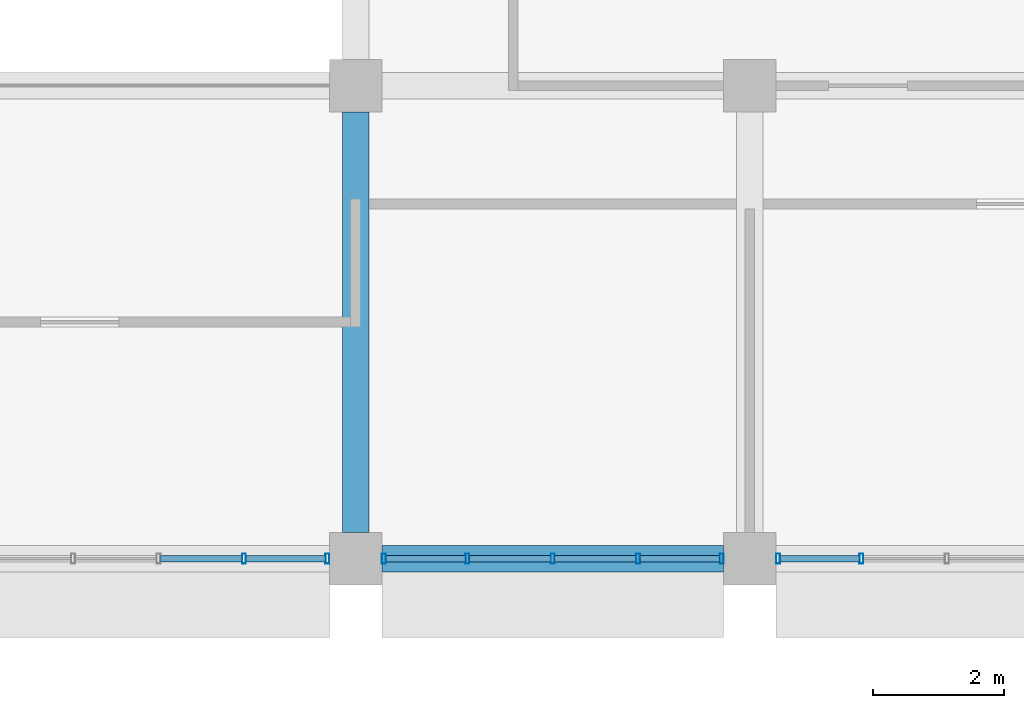
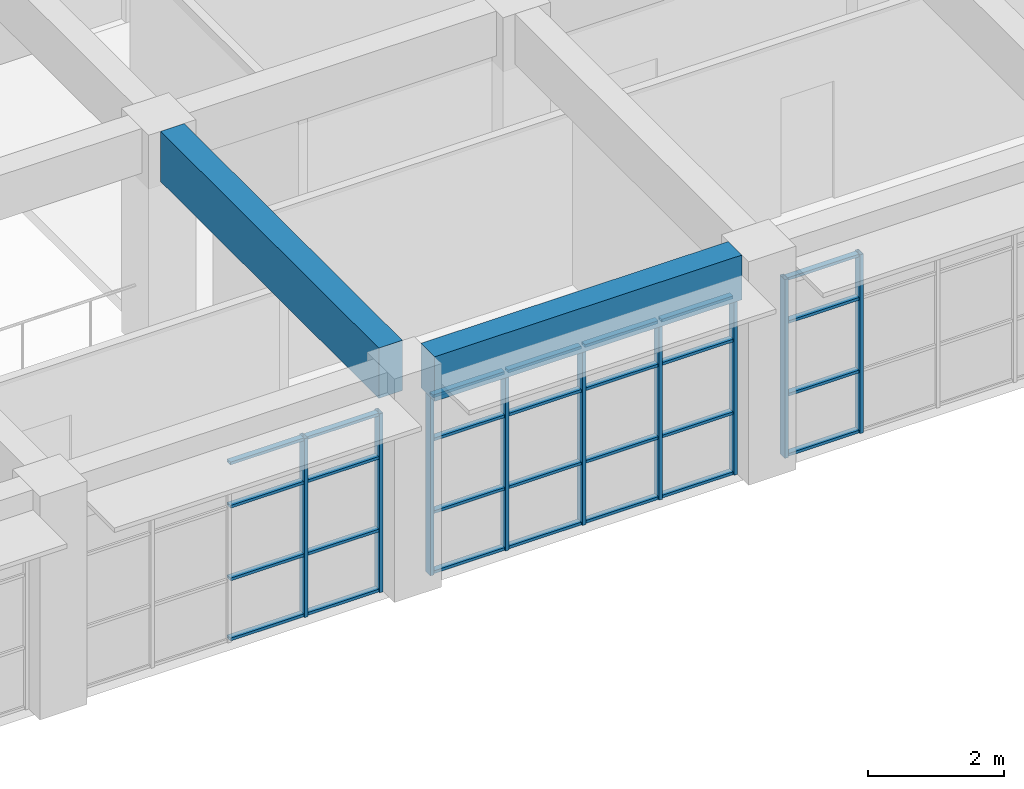
# One storey, part 13 of 47: 37 members, 2 beams, 3 elements without a shape of their own.
"""IFC4 building model written with IfcOpenShell, lengths in metres."""

import ifcopenshell
import ifcopenshell.guid

model = None  # the IFC model being written
_history = None  # IfcOwnerHistory: only IFC2X3 demands one
_inside = {}  # id of a spatial element -> (the spatial element, [elements in it])
_under = {}  # id of a project, library or spatial element -> (it, [spatial elements below it])
_declared = {}  # id of a project -> (the project, [libraries it declares])
_typed = {}  # id of a type object -> (the type object, [elements of that type])
_made_of = {}  # id of a material, layer set ... -> (it, [elements and type objects made of it])


def new_model(schema):
    """Start an empty IFC model of exactly this schema.

    Asked for "IFC4X3", IfcOpenShell would pick the latest addendum, in which some entities
    have other attributes; the version numbers below select the first issue.
    IFC2X3 requires an IfcOwnerHistory on every rooted entity: one is made here for all.
    """
    global model, _history
    if schema == "IFC4X3":
        model = ifcopenshell.file(schema_version=(4, 3, 0, 0))
    else:
        model = ifcopenshell.file(schema=schema)
    _inside.clear()
    _under.clear()
    _declared.clear()
    _typed.clear()
    _made_of.clear()
    _history = None
    if model.schema == "IFC2X3":
        org = make("IfcOrganization", Name="unknown")
        user = make(
            "IfcPersonAndOrganization",
            ThePerson=make("IfcPerson", FamilyName="unknown"),
            TheOrganization=org,
        )
        app = make(
            "IfcApplication",
            ApplicationDeveloper=org,
            Version="unknown",
            ApplicationFullName="unknown",
            ApplicationIdentifier="unknown",
        )
        _history = make(
            "IfcOwnerHistory",
            OwningUser=user,
            OwningApplication=app,
            ChangeAction="ADDED",
            CreationDate=0,
        )
    return model


def make(cls, **values):
    """One entity of the class cls with the attributes given. An attribute that is None is left unset."""
    return model.create_entity(
        cls, **{name: value for name, value in values.items() if value is not None}
    )


def rooted(cls, **values):
    """An entity with a GlobalId (a new one), such as an element, a storey or a relation."""
    return make(cls, GlobalId=ifcopenshell.guid.new(), OwnerHistory=_history, **values)


def si_unit(unit_type, name, prefix=None):
    """IfcSIUnit, for example si_unit("LENGTHUNIT", "METRE", prefix="MILLI")."""
    return make("IfcSIUnit", UnitType=unit_type, Prefix=prefix, Name=name)


def assignment(units):
    """IfcUnitAssignment: the units of a project."""
    return None if units is None else make("IfcUnitAssignment", Units=units)


def point(xyz):
    """IfcCartesianPoint."""
    return None if xyz is None else make("IfcCartesianPoint", Coordinates=xyz)


def direction(xyz):
    """IfcDirection."""
    return None if xyz is None else make("IfcDirection", DirectionRatios=xyz)


def frame(location, z_axis=None, x_axis=None):
    """IfcAxis2Placement3D, a coordinate frame: its origin and axes. An axis left out is left unset."""
    return make(
        "IfcAxis2Placement3D",
        Location=point(location),
        Axis=direction(z_axis),
        RefDirection=direction(x_axis),
    )


def frame_2d(location, x_axis=None):
    """IfcAxis2Placement2D, a coordinate frame in the plane: its origin and x axis."""
    return make(
        "IfcAxis2Placement2D", Location=point(location), RefDirection=direction(x_axis)
    )


def origin():
    """The frame at (0, 0, 0) with its axes left unset."""
    return frame((0.0, 0.0, 0.0))


def origin_2d():
    """The frame at (0, 0) in the plane with its x axis left unset."""
    return frame_2d((0.0, 0.0))


def place(relative_to, where):
    """IfcLocalPlacement: puts the frame where relative to a parent placement (None: the world)."""
    return make(
        "IfcLocalPlacement", PlacementRelTo=relative_to, RelativePlacement=where
    )


def context(
    kind, dimensions, precision=None, world=None, true_north=None, identifier=None
):
    """IfcGeometricRepresentationContext, for example the 3D "Model" context."""
    return make(
        "IfcGeometricRepresentationContext",
        ContextIdentifier=identifier,
        ContextType=kind,
        CoordinateSpaceDimension=dimensions,
        Precision=precision,
        WorldCoordinateSystem=world,
        TrueNorth=true_north,
    )


def subcontext(parent, identifier, kind, view, scale=None):
    """IfcGeometricRepresentationSubContext, for example "Body" below "Model"."""
    return make(
        "IfcGeometricRepresentationSubContext",
        ContextIdentifier=identifier,
        ContextType=kind,
        ParentContext=parent,
        TargetScale=scale,
        TargetView=view,
    )


def project(units=None, contexts=None):
    """IfcProject with its units and contexts."""
    return rooted(
        "IfcProject",
        Name="project",
        RepresentationContexts=contexts,
        UnitsInContext=assignment(units),
    )


def spatial(cls, under=None, at=None, **own):
    """A site, building, storey or space (cls), placed at a placement, below another one or the project."""
    s = rooted(cls, ObjectPlacement=at, **own)
    if under is not None:
        _under.setdefault(under.id(), (under, []))[1].append(s)
    return s


def profile(cls, at=None, kind="AREA", **sizes):
    """A parametric profile (cls). Its sizes go by their IFC names, for example OverallWidth=200.0."""
    return make(cls, ProfileType=kind, Position=at, **sizes)


def rectangle(**sizes):
    """IfcRectangleProfileDef."""
    return profile("IfcRectangleProfileDef", **sizes)


def hollow_rectangle(**sizes):
    """IfcRectangleHollowProfileDef."""
    return profile("IfcRectangleHollowProfileDef", **sizes)


def extrude(swept, where, along, depth):
    """IfcExtrudedAreaSolid: the profile swept, set in the frame where, extruded along a direction by depth."""
    return make(
        "IfcExtrudedAreaSolid",
        SweptArea=swept,
        Position=where,
        ExtrudedDirection=direction(along),
        Depth=depth,
    )


def shape(context_of_items, identifier, shape_type, items):
    """IfcShapeRepresentation: the items that make up one representation, for example the "Body"."""
    return make(
        "IfcShapeRepresentation",
        ContextOfItems=context_of_items,
        RepresentationIdentifier=identifier,
        RepresentationType=shape_type,
        Items=items,
    )


def material(Name=None, Category=None):
    """IfcMaterial."""
    return make("IfcMaterial", Name=Name, Category=Category)


def material_profile(
    of_material, cross_section, Name=None, Category=None, Priority=None
):
    """IfcMaterialProfile: a cross section and its material."""
    return make(
        "IfcMaterialProfile",
        Name=Name,
        Material=of_material,
        Profile=cross_section,
        Priority=Priority,
        Category=Category,
    )


def profile_set(profiles, Name=None, composite=None):
    """IfcMaterialProfileSet."""
    return make(
        "IfcMaterialProfileSet",
        Name=Name,
        MaterialProfiles=profiles,
        CompositeProfile=composite,
    )


def made_of(thing, what):
    """Note that an element or type object is made of a material, layer set ...; save() writes the relation."""
    if what is not None:
        _made_of.setdefault(what.id(), (what, []))[1].append(thing)
    return thing


def type_object(cls, material=None, **own):
    """A type object (cls), such as IfcWallType, which elements share."""
    return made_of(rooted(cls, **own), material)


def element(
    cls,
    number,
    at=None,
    inside=None,
    cuts=None,
    type_object=None,
    material=None,
    context=None,
    identifier="Body",
    shape_type=None,
    held_by="IfcProductDefinitionShape",
    body=None,
    shapes=None,
    **own,
):
    """One element of the class cls, such as IfcWall. Its Tag is "e" and its number.

    at: its placement. inside: the storey or other place that contains it. cuts: it is an
    opening in that element (IfcRelVoidsElement). A single representation is given by context,
    identifier, shape_type and body (its items); several are given by shapes. held_by: the class
    of the entity that holds the representations. save() writes the other relations.
    """
    e = rooted(cls, Tag="e%d" % number, ObjectPlacement=at, **own)
    if body is not None:
        shapes = [shape(context, identifier, shape_type, body)]
    if shapes is not None:
        e.Representation = make(held_by, Representations=shapes)
    if inside is not None:
        _inside.setdefault(inside.id(), (inside, []))[1].append(e)
    if cuts is not None:
        rooted(
            "IfcRelVoidsElement", RelatingBuildingElement=cuts, RelatedOpeningElement=e
        )
    if type_object is not None:
        _typed.setdefault(type_object.id(), (type_object, []))[1].append(e)
    return made_of(e, material)


def aggregate(whole, parts):
    """IfcRelAggregates: a whole, such as a stair, and the parts it consists of."""
    return rooted("IfcRelAggregates", RelatingObject=whole, RelatedObjects=parts)


def save(model, path):
    """Write the relations noted so far, then the file.

    IfcRelAggregates (storeys below a building ...), IfcRelContainedInSpatialStructure (elements
    in a storey), IfcRelDefinesByType, IfcRelAssociatesMaterial and IfcRelDeclares: one each for
    every whole, place, type object, material and project.
    """
    for whole, parts in _under.values():
        aggregate(whole, parts)
    for where, things in _inside.values():
        rooted(
            "IfcRelContainedInSpatialStructure",
            RelatedElements=things,
            RelatingStructure=where,
        )
    for kind, things in _typed.values():
        rooted("IfcRelDefinesByType", RelatedObjects=things, RelatingType=kind)
    for what, things in _made_of.values():
        rooted("IfcRelAssociatesMaterial", RelatedObjects=things, RelatingMaterial=what)
    for by, libraries in _declared.values():
        rooted("IfcRelDeclares", RelatingContext=by, RelatedDefinitions=libraries)
    model.write(path)


model = new_model("IFC4")

# Units and contexts
model_context = context("Model", 3, precision=1e-05, world=origin(), true_north=direction((0.0, 1.0)))
body_context = subcontext(model_context, "Body", "Model", "MODEL_VIEW")
ifc_project = project(units=[si_unit("LENGTHUNIT", "METRE"), si_unit("AREAUNIT", "SQUARE_METRE"), si_unit("VOLUMEUNIT", "CUBIC_METRE"), si_unit("PLANEANGLEUNIT", "RADIAN"), si_unit("MASSUNIT", "GRAM", prefix="KILO")], contexts=[model_context])

# Site, building, storey
site_placement = place(None, origin())
site = spatial("IfcSite", under=ifc_project, at=site_placement, CompositionType="ELEMENT")
building_placement = place(site_placement, origin())
building = spatial("IfcBuilding", under=site, at=building_placement, Name="Laocheng Heights Fire and Rescue Headquarters", CompositionType="ELEMENT")
storey_placement = place(building_placement, frame((0.0, 0.0, 16.800048828125)))
storey = spatial("IfcBuildingStorey", under=building, at=storey_placement, Name="L04", CompositionType="ELEMENT", Elevation=16.800048828125)

# Curtain wall, members
ifc_material_1 = material(Name="Dark anodised aluminium unitised curtain wall, low-e double glazing", Category="aluminium")
curtain_wall_type = type_object("IfcCurtainWallType", Name="CW 5200 x 3200 HQ SOUTH RIBBON", PredefinedType="NOTDEFINED", material=ifc_material_1)
curtain_wall_1_placement = place(storey_placement, origin())
curtain_wall_1 = element("IfcCurtainWall", 1, at=curtain_wall_1_placement, inside=storey, type_object=curtain_wall_type, Name="X13-X HQ SOUTH L04", PredefinedType="NOTDEFINED")
ifc_material_2 = material(Name="Dark anodised aluminium 6063-T5 extrusion", Category="aluminium")
ifc_material_profile_1 = material_profile(ifc_material_2, hollow_rectangle(XDim=0.14990234375, YDim=0.06005859375, WallThickness=0.0029296875, at=origin_2d()), Name="AL MULLION 150x60x3 HQ SOUTH RIBBON")
ifc_profile_set_1 = profile_set([ifc_material_profile_1], Name="Dark anodised aluminium 6063-T5 extrusion")
member_type_1 = type_object("IfcMemberType", Name="AL MULLION 150x60x3 HQ SOUTH RIBBON", PredefinedType="MULLION", material=ifc_profile_set_1)
member_1_placement = place(storey_placement, frame((64.300048828125, 50.39990234375, 0.0), z_axis=(0.0, 0.0, 1.0), x_axis=(0.0, 1.0, 0.0)))
member_1 = element("IfcMember", 2, at=member_1_placement, type_object=member_type_1, Name="X13-X mullion 4", PredefinedType="MULLION", context=body_context, shape_type="SweptSolid", body=[
    extrude(hollow_rectangle(XDim=0.14990234375, YDim=0.06005859375, WallThickness=0.0029296875, at=origin_2d()), origin(), (0.0, 0.0, 1.0), 3.199951171875),
])
member_2_placement = place(storey_placement, frame((65.570068359375, 50.39990234375, 0.0), z_axis=(0.0, 0.0, 1.0), x_axis=(0.0, 1.0, 0.0)))
member_2 = element("IfcMember", 3, at=member_2_placement, type_object=member_type_1, Name="X13-X mullion 5", PredefinedType="MULLION", context=body_context, shape_type="SweptSolid", body=[
    extrude(hollow_rectangle(XDim=0.14990234375, YDim=0.06005859375, WallThickness=0.0029296875, at=origin_2d()), origin(), (0.0, 0.0, 1.0), 3.199951171875),
])

curtain_wall_2_placement = place(storey_placement, origin())
curtain_wall_2 = element("IfcCurtainWall", 4, at=curtain_wall_2_placement, inside=storey, type_object=curtain_wall_type, Name="X13-X HQ SOUTH L04", PredefinedType="NOTDEFINED")
member_3_placement = place(storey_placement, frame((66.429931640625, 50.39990234375, 0.0), z_axis=(0.0, 0.0, 1.0), x_axis=(0.0, 1.0, 0.0)))
member_3 = element("IfcMember", 5, at=member_3_placement, type_object=member_type_1, Name="X13-X mullion 1", PredefinedType="MULLION", context=body_context, shape_type="SweptSolid", body=[
    extrude(hollow_rectangle(XDim=0.14990234375, YDim=0.06005859375, WallThickness=0.0029296875, at=origin_2d()), origin(), (0.0, 0.0, 1.0), 3.199951171875),
])
member_4_placement = place(storey_placement, frame((67.699951171875, 50.39990234375, 0.0), z_axis=(0.0, 0.0, 1.0), x_axis=(0.0, 1.0, 0.0)))
member_4 = element("IfcMember", 6, at=member_4_placement, type_object=member_type_1, Name="X13-X mullion 2", PredefinedType="MULLION", context=body_context, shape_type="SweptSolid", body=[
    extrude(hollow_rectangle(XDim=0.14990234375, YDim=0.06005859375, WallThickness=0.0029296875, at=origin_2d()), origin(), (0.0, 0.0, 1.0), 3.199951171875),
])
member_5_placement = place(storey_placement, frame((69.0, 50.39990234375, 0.0), z_axis=(0.0, 0.0, 1.0), x_axis=(0.0, 1.0, 0.0)))
member_5 = element("IfcMember", 7, at=member_5_placement, type_object=member_type_1, Name="X13-X mullion 3", PredefinedType="MULLION", context=body_context, shape_type="SweptSolid", body=[
    extrude(hollow_rectangle(XDim=0.14990234375, YDim=0.06005859375, WallThickness=0.0029296875, at=origin_2d()), origin(), (0.0, 0.0, 1.0), 3.199951171875),
])
member_6_placement = place(storey_placement, frame((70.300048828125, 50.39990234375, 0.0), z_axis=(0.0, 0.0, 1.0), x_axis=(0.0, 1.0, 0.0)))
member_6 = element("IfcMember", 8, at=member_6_placement, type_object=member_type_1, Name="X13-X mullion 4", PredefinedType="MULLION", context=body_context, shape_type="SweptSolid", body=[
    extrude(hollow_rectangle(XDim=0.14990234375, YDim=0.06005859375, WallThickness=0.0029296875, at=origin_2d()), origin(), (0.0, 0.0, 1.0), 3.199951171875),
])
member_7_placement = place(storey_placement, frame((71.570068359375, 50.39990234375, 0.0), z_axis=(0.0, 0.0, 1.0), x_axis=(0.0, 1.0, 0.0)))
member_7 = element("IfcMember", 9, at=member_7_placement, type_object=member_type_1, Name="X13-X mullion 5", PredefinedType="MULLION", context=body_context, shape_type="SweptSolid", body=[
    extrude(hollow_rectangle(XDim=0.14990234375, YDim=0.06005859375, WallThickness=0.0029296875, at=origin_2d()), origin(), (0.0, 0.0, 1.0), 3.199951171875),
])

curtain_wall_3_placement = place(storey_placement, origin())
curtain_wall_3 = element("IfcCurtainWall", 10, at=curtain_wall_3_placement, inside=storey, type_object=curtain_wall_type, Name="X13-X HQ SOUTH L04", PredefinedType="NOTDEFINED")
member_8_placement = place(storey_placement, frame((72.429931640625, 50.39990234375, 0.0), z_axis=(0.0, 0.0, 1.0), x_axis=(0.0, 1.0, 0.0)))
member_8 = element("IfcMember", 11, at=member_8_placement, type_object=member_type_1, Name="X13-X mullion 1", PredefinedType="MULLION", context=body_context, shape_type="SweptSolid", body=[
    extrude(hollow_rectangle(XDim=0.14990234375, YDim=0.06005859375, WallThickness=0.0029296875, at=origin_2d()), origin(), (0.0, 0.0, 1.0), 3.199951171875),
])
member_9_placement = place(storey_placement, frame((73.699951171875, 50.39990234375, 0.0), z_axis=(0.0, 0.0, 1.0), x_axis=(0.0, 1.0, 0.0)))
member_9 = element("IfcMember", 12, at=member_9_placement, type_object=member_type_1, Name="X13-X mullion 2", PredefinedType="MULLION", context=body_context, shape_type="SweptSolid", body=[
    extrude(hollow_rectangle(XDim=0.14990234375, YDim=0.06005859375, WallThickness=0.0029296875, at=origin_2d()), origin(), (0.0, 0.0, 1.0), 3.199951171875),
])

# Member
ifc_material_3 = material(Name="Dark anodised aluminium 6063-T5 extrusion", Category="aluminium")
ifc_material_profile_2 = material_profile(ifc_material_3, hollow_rectangle(XDim=0.10009765625, YDim=0.050048828125, WallThickness=0.0029296875, at=origin_2d()), Name="AL TRANSOM 100x50x3 HQ SOUTH RIBBON")
ifc_profile_set_2 = profile_set([ifc_material_profile_2], Name="Dark anodised aluminium 6063-T5 extrusion")
member_type_2 = type_object("IfcMemberType", Name="AL TRANSOM 100x50x3 HQ SOUTH RIBBON", PredefinedType="USERDEFINED", material=ifc_profile_set_2)
member_10_placement = place(storey_placement, frame((63.030029296875, 50.39990234375, 0.02490234375), z_axis=(1.0, 0.0, 0.0), x_axis=(0.0, 1.0, 0.0)))
member_10 = element("IfcMember", 13, at=member_10_placement, type_object=member_type_2, Name="X13-X transom 3.1", ObjectType="TRANSOM", PredefinedType="USERDEFINED", context=body_context, shape_type="SweptSolid", body=[
    extrude(hollow_rectangle(XDim=0.10009765625, YDim=0.050048828125, WallThickness=0.0029296875, at=origin_2d()), origin(), (0.0, 0.0, 1.0), 1.239990234375),
])

member_11_placement = place(storey_placement, frame((63.030029296875, 50.39990234375, 1.099853515625), z_axis=(1.0, 0.0, 0.0), x_axis=(0.0, 1.0, 0.0)))
member_11 = element("IfcMember", 14, at=member_11_placement, type_object=member_type_2, Name="X13-X transom 3.2", ObjectType="TRANSOM", PredefinedType="USERDEFINED", context=body_context, shape_type="SweptSolid", body=[
    extrude(hollow_rectangle(XDim=0.10009765625, YDim=0.050048828125, WallThickness=0.0029296875, at=origin_2d()), origin(), (0.0, 0.0, 1.0), 1.239990234375),
])

member_12_placement = place(storey_placement, frame((63.030029296875, 50.39990234375, 2.39990234375), z_axis=(1.0, 0.0, 0.0), x_axis=(0.0, 1.0, 0.0)))
member_12 = element("IfcMember", 15, at=member_12_placement, type_object=member_type_2, Name="X13-X transom 3.3", ObjectType="TRANSOM", PredefinedType="USERDEFINED", context=body_context, shape_type="SweptSolid", body=[
    extrude(hollow_rectangle(XDim=0.10009765625, YDim=0.050048828125, WallThickness=0.0029296875, at=origin_2d()), origin(), (0.0, 0.0, 1.0), 1.239990234375),
])

member_13_placement = place(storey_placement, frame((63.030029296875, 50.39990234375, 3.175048828125), z_axis=(1.0, 0.0, 0.0), x_axis=(0.0, 1.0, 0.0)))
member_13 = element("IfcMember", 16, at=member_13_placement, type_object=member_type_2, Name="X13-X transom 3.4", ObjectType="TRANSOM", PredefinedType="USERDEFINED", context=body_context, shape_type="SweptSolid", body=[
    extrude(hollow_rectangle(XDim=0.10009765625, YDim=0.050048828125, WallThickness=0.0029296875, at=origin_2d()), origin(), (0.0, 0.0, 1.0), 1.239990234375),
])

member_14_placement = place(storey_placement, frame((64.330078125, 50.39990234375, 0.02490234375), z_axis=(1.0, 0.0, 0.0), x_axis=(0.0, 1.0, 0.0)))
member_14 = element("IfcMember", 17, at=member_14_placement, type_object=member_type_2, Name="X13-X transom 4.1", ObjectType="TRANSOM", PredefinedType="USERDEFINED", context=body_context, shape_type="SweptSolid", body=[
    extrude(hollow_rectangle(XDim=0.10009765625, YDim=0.050048828125, WallThickness=0.0029296875, at=origin_2d()), origin(), (0.0, 0.0, 1.0), 1.2099609375),
])

member_15_placement = place(storey_placement, frame((64.330078125, 50.39990234375, 1.099853515625), z_axis=(1.0, 0.0, 0.0), x_axis=(0.0, 1.0, 0.0)))
member_15 = element("IfcMember", 18, at=member_15_placement, type_object=member_type_2, Name="X13-X transom 4.2", ObjectType="TRANSOM", PredefinedType="USERDEFINED", context=body_context, shape_type="SweptSolid", body=[
    extrude(hollow_rectangle(XDim=0.10009765625, YDim=0.050048828125, WallThickness=0.0029296875, at=origin_2d()), origin(), (0.0, 0.0, 1.0), 1.2099609375),
])

member_16_placement = place(storey_placement, frame((64.330078125, 50.39990234375, 2.39990234375), z_axis=(1.0, 0.0, 0.0), x_axis=(0.0, 1.0, 0.0)))
member_16 = element("IfcMember", 19, at=member_16_placement, type_object=member_type_2, Name="X13-X transom 4.3", ObjectType="TRANSOM", PredefinedType="USERDEFINED", context=body_context, shape_type="SweptSolid", body=[
    extrude(hollow_rectangle(XDim=0.10009765625, YDim=0.050048828125, WallThickness=0.0029296875, at=origin_2d()), origin(), (0.0, 0.0, 1.0), 1.2099609375),
])

member_17_placement = place(storey_placement, frame((64.330078125, 50.39990234375, 3.175048828125), z_axis=(1.0, 0.0, 0.0), x_axis=(0.0, 1.0, 0.0)))
member_17 = element("IfcMember", 20, at=member_17_placement, type_object=member_type_2, Name="X13-X transom 4.4", ObjectType="TRANSOM", PredefinedType="USERDEFINED", context=body_context, shape_type="SweptSolid", body=[
    extrude(hollow_rectangle(XDim=0.10009765625, YDim=0.050048828125, WallThickness=0.0029296875, at=origin_2d()), origin(), (0.0, 0.0, 1.0), 1.2099609375),
])

aggregate(curtain_wall_1, [member_1, member_2, member_10, member_11, member_12, member_13, member_14, member_15, member_16, member_17])

member_18_placement = place(storey_placement, frame((66.4599609375, 50.39990234375, 0.02490234375), z_axis=(1.0, 0.0, 0.0), x_axis=(0.0, 1.0, 0.0)))
member_18 = element("IfcMember", 21, at=member_18_placement, type_object=member_type_2, Name="X13-X transom 1.1", ObjectType="TRANSOM", PredefinedType="USERDEFINED", context=body_context, shape_type="SweptSolid", body=[
    extrude(hollow_rectangle(XDim=0.10009765625, YDim=0.050048828125, WallThickness=0.0029296875, at=origin_2d()), origin(), (0.0, 0.0, 1.0), 1.2099609375),
])

member_19_placement = place(storey_placement, frame((66.4599609375, 50.39990234375, 1.099853515625), z_axis=(1.0, 0.0, 0.0), x_axis=(0.0, 1.0, 0.0)))
member_19 = element("IfcMember", 22, at=member_19_placement, type_object=member_type_2, Name="X13-X transom 1.2", ObjectType="TRANSOM", PredefinedType="USERDEFINED", context=body_context, shape_type="SweptSolid", body=[
    extrude(hollow_rectangle(XDim=0.10009765625, YDim=0.050048828125, WallThickness=0.0029296875, at=origin_2d()), origin(), (0.0, 0.0, 1.0), 1.2099609375),
])

member_20_placement = place(storey_placement, frame((66.4599609375, 50.39990234375, 2.39990234375), z_axis=(1.0, 0.0, 0.0), x_axis=(0.0, 1.0, 0.0)))
member_20 = element("IfcMember", 23, at=member_20_placement, type_object=member_type_2, Name="X13-X transom 1.3", ObjectType="TRANSOM", PredefinedType="USERDEFINED", context=body_context, shape_type="SweptSolid", body=[
    extrude(hollow_rectangle(XDim=0.10009765625, YDim=0.050048828125, WallThickness=0.0029296875, at=origin_2d()), origin(), (0.0, 0.0, 1.0), 1.2099609375),
])

member_21_placement = place(storey_placement, frame((66.4599609375, 50.39990234375, 3.175048828125), z_axis=(1.0, 0.0, 0.0), x_axis=(0.0, 1.0, 0.0)))
member_21 = element("IfcMember", 24, at=member_21_placement, type_object=member_type_2, Name="X13-X transom 1.4", ObjectType="TRANSOM", PredefinedType="USERDEFINED", context=body_context, shape_type="SweptSolid", body=[
    extrude(hollow_rectangle(XDim=0.10009765625, YDim=0.050048828125, WallThickness=0.0029296875, at=origin_2d()), origin(), (0.0, 0.0, 1.0), 1.2099609375),
])

member_22_placement = place(storey_placement, frame((67.72998046875, 50.39990234375, 0.02490234375), z_axis=(1.0, 0.0, 0.0), x_axis=(0.0, 1.0, 0.0)))
member_22 = element("IfcMember", 25, at=member_22_placement, type_object=member_type_2, Name="X13-X transom 2.1", ObjectType="TRANSOM", PredefinedType="USERDEFINED", context=body_context, shape_type="SweptSolid", body=[
    extrude(hollow_rectangle(XDim=0.10009765625, YDim=0.050048828125, WallThickness=0.0029296875, at=origin_2d()), origin(), (0.0, 0.0, 1.0), 1.239990234375),
])

member_23_placement = place(storey_placement, frame((67.72998046875, 50.39990234375, 1.099853515625), z_axis=(1.0, 0.0, 0.0), x_axis=(0.0, 1.0, 0.0)))
member_23 = element("IfcMember", 26, at=member_23_placement, type_object=member_type_2, Name="X13-X transom 2.2", ObjectType="TRANSOM", PredefinedType="USERDEFINED", context=body_context, shape_type="SweptSolid", body=[
    extrude(hollow_rectangle(XDim=0.10009765625, YDim=0.050048828125, WallThickness=0.0029296875, at=origin_2d()), origin(), (0.0, 0.0, 1.0), 1.239990234375),
])

member_24_placement = place(storey_placement, frame((67.72998046875, 50.39990234375, 2.39990234375), z_axis=(1.0, 0.0, 0.0), x_axis=(0.0, 1.0, 0.0)))
member_24 = element("IfcMember", 27, at=member_24_placement, type_object=member_type_2, Name="X13-X transom 2.3", ObjectType="TRANSOM", PredefinedType="USERDEFINED", context=body_context, shape_type="SweptSolid", body=[
    extrude(hollow_rectangle(XDim=0.10009765625, YDim=0.050048828125, WallThickness=0.0029296875, at=origin_2d()), origin(), (0.0, 0.0, 1.0), 1.239990234375),
])

member_25_placement = place(storey_placement, frame((67.72998046875, 50.39990234375, 3.175048828125), z_axis=(1.0, 0.0, 0.0), x_axis=(0.0, 1.0, 0.0)))
member_25 = element("IfcMember", 28, at=member_25_placement, type_object=member_type_2, Name="X13-X transom 2.4", ObjectType="TRANSOM", PredefinedType="USERDEFINED", context=body_context, shape_type="SweptSolid", body=[
    extrude(hollow_rectangle(XDim=0.10009765625, YDim=0.050048828125, WallThickness=0.0029296875, at=origin_2d()), origin(), (0.0, 0.0, 1.0), 1.239990234375),
])

member_26_placement = place(storey_placement, frame((69.030029296875, 50.39990234375, 0.02490234375), z_axis=(1.0, 0.0, 0.0), x_axis=(0.0, 1.0, 0.0)))
member_26 = element("IfcMember", 29, at=member_26_placement, type_object=member_type_2, Name="X13-X transom 3.1", ObjectType="TRANSOM", PredefinedType="USERDEFINED", context=body_context, shape_type="SweptSolid", body=[
    extrude(hollow_rectangle(XDim=0.10009765625, YDim=0.050048828125, WallThickness=0.0029296875, at=origin_2d()), origin(), (0.0, 0.0, 1.0), 1.239990234375),
])

member_27_placement = place(storey_placement, frame((69.030029296875, 50.39990234375, 1.099853515625), z_axis=(1.0, 0.0, 0.0), x_axis=(0.0, 1.0, 0.0)))
member_27 = element("IfcMember", 30, at=member_27_placement, type_object=member_type_2, Name="X13-X transom 3.2", ObjectType="TRANSOM", PredefinedType="USERDEFINED", context=body_context, shape_type="SweptSolid", body=[
    extrude(hollow_rectangle(XDim=0.10009765625, YDim=0.050048828125, WallThickness=0.0029296875, at=origin_2d()), origin(), (0.0, 0.0, 1.0), 1.239990234375),
])

member_28_placement = place(storey_placement, frame((69.030029296875, 50.39990234375, 2.39990234375), z_axis=(1.0, 0.0, 0.0), x_axis=(0.0, 1.0, 0.0)))
member_28 = element("IfcMember", 31, at=member_28_placement, type_object=member_type_2, Name="X13-X transom 3.3", ObjectType="TRANSOM", PredefinedType="USERDEFINED", context=body_context, shape_type="SweptSolid", body=[
    extrude(hollow_rectangle(XDim=0.10009765625, YDim=0.050048828125, WallThickness=0.0029296875, at=origin_2d()), origin(), (0.0, 0.0, 1.0), 1.239990234375),
])

member_29_placement = place(storey_placement, frame((69.030029296875, 50.39990234375, 3.175048828125), z_axis=(1.0, 0.0, 0.0), x_axis=(0.0, 1.0, 0.0)))
member_29 = element("IfcMember", 32, at=member_29_placement, type_object=member_type_2, Name="X13-X transom 3.4", ObjectType="TRANSOM", PredefinedType="USERDEFINED", context=body_context, shape_type="SweptSolid", body=[
    extrude(hollow_rectangle(XDim=0.10009765625, YDim=0.050048828125, WallThickness=0.0029296875, at=origin_2d()), origin(), (0.0, 0.0, 1.0), 1.239990234375),
])

member_30_placement = place(storey_placement, frame((70.330078125, 50.39990234375, 0.02490234375), z_axis=(1.0, 0.0, 0.0), x_axis=(0.0, 1.0, 0.0)))
member_30 = element("IfcMember", 33, at=member_30_placement, type_object=member_type_2, Name="X13-X transom 4.1", ObjectType="TRANSOM", PredefinedType="USERDEFINED", context=body_context, shape_type="SweptSolid", body=[
    extrude(hollow_rectangle(XDim=0.10009765625, YDim=0.050048828125, WallThickness=0.0029296875, at=origin_2d()), origin(), (0.0, 0.0, 1.0), 1.2099609375),
])

member_31_placement = place(storey_placement, frame((70.330078125, 50.39990234375, 1.099853515625), z_axis=(1.0, 0.0, 0.0), x_axis=(0.0, 1.0, 0.0)))
member_31 = element("IfcMember", 34, at=member_31_placement, type_object=member_type_2, Name="X13-X transom 4.2", ObjectType="TRANSOM", PredefinedType="USERDEFINED", context=body_context, shape_type="SweptSolid", body=[
    extrude(hollow_rectangle(XDim=0.10009765625, YDim=0.050048828125, WallThickness=0.0029296875, at=origin_2d()), origin(), (0.0, 0.0, 1.0), 1.2099609375),
])

member_32_placement = place(storey_placement, frame((70.330078125, 50.39990234375, 2.39990234375), z_axis=(1.0, 0.0, 0.0), x_axis=(0.0, 1.0, 0.0)))
member_32 = element("IfcMember", 35, at=member_32_placement, type_object=member_type_2, Name="X13-X transom 4.3", ObjectType="TRANSOM", PredefinedType="USERDEFINED", context=body_context, shape_type="SweptSolid", body=[
    extrude(hollow_rectangle(XDim=0.10009765625, YDim=0.050048828125, WallThickness=0.0029296875, at=origin_2d()), origin(), (0.0, 0.0, 1.0), 1.2099609375),
])

member_33_placement = place(storey_placement, frame((70.330078125, 50.39990234375, 3.175048828125), z_axis=(1.0, 0.0, 0.0), x_axis=(0.0, 1.0, 0.0)))
member_33 = element("IfcMember", 36, at=member_33_placement, type_object=member_type_2, Name="X13-X transom 4.4", ObjectType="TRANSOM", PredefinedType="USERDEFINED", context=body_context, shape_type="SweptSolid", body=[
    extrude(hollow_rectangle(XDim=0.10009765625, YDim=0.050048828125, WallThickness=0.0029296875, at=origin_2d()), origin(), (0.0, 0.0, 1.0), 1.2099609375),
])

aggregate(curtain_wall_2, [member_3, member_4, member_5, member_6, member_7, member_18, member_19, member_20, member_21, member_22, member_23, member_24, member_25, member_26, member_27, member_28, member_29, member_30, member_31, member_32, member_33])

member_34_placement = place(storey_placement, frame((72.4599609375, 50.39990234375, 0.02490234375), z_axis=(1.0, 0.0, 0.0), x_axis=(0.0, 1.0, 0.0)))
member_34 = element("IfcMember", 37, at=member_34_placement, type_object=member_type_2, Name="X13-X transom 1.1", ObjectType="TRANSOM", PredefinedType="USERDEFINED", context=body_context, shape_type="SweptSolid", body=[
    extrude(hollow_rectangle(XDim=0.10009765625, YDim=0.050048828125, WallThickness=0.0029296875, at=origin_2d()), origin(), (0.0, 0.0, 1.0), 1.2099609375),
])

member_35_placement = place(storey_placement, frame((72.4599609375, 50.39990234375, 1.099853515625), z_axis=(1.0, 0.0, 0.0), x_axis=(0.0, 1.0, 0.0)))
member_35 = element("IfcMember", 38, at=member_35_placement, type_object=member_type_2, Name="X13-X transom 1.2", ObjectType="TRANSOM", PredefinedType="USERDEFINED", context=body_context, shape_type="SweptSolid", body=[
    extrude(hollow_rectangle(XDim=0.10009765625, YDim=0.050048828125, WallThickness=0.0029296875, at=origin_2d()), origin(), (0.0, 0.0, 1.0), 1.2099609375),
])

member_36_placement = place(storey_placement, frame((72.4599609375, 50.39990234375, 2.39990234375), z_axis=(1.0, 0.0, 0.0), x_axis=(0.0, 1.0, 0.0)))
member_36 = element("IfcMember", 39, at=member_36_placement, type_object=member_type_2, Name="X13-X transom 1.3", ObjectType="TRANSOM", PredefinedType="USERDEFINED", context=body_context, shape_type="SweptSolid", body=[
    extrude(hollow_rectangle(XDim=0.10009765625, YDim=0.050048828125, WallThickness=0.0029296875, at=origin_2d()), origin(), (0.0, 0.0, 1.0), 1.2099609375),
])

member_37_placement = place(storey_placement, frame((72.4599609375, 50.39990234375, 3.175048828125), z_axis=(1.0, 0.0, 0.0), x_axis=(0.0, 1.0, 0.0)))
member_37 = element("IfcMember", 40, at=member_37_placement, type_object=member_type_2, Name="X13-X transom 1.4", ObjectType="TRANSOM", PredefinedType="USERDEFINED", context=body_context, shape_type="SweptSolid", body=[
    extrude(hollow_rectangle(XDim=0.10009765625, YDim=0.050048828125, WallThickness=0.0029296875, at=origin_2d()), origin(), (0.0, 0.0, 1.0), 1.2099609375),
])

aggregate(curtain_wall_3, [member_8, member_9, member_34, member_35, member_36, member_37])

# Beams
ifc_material_4 = material(Name="Concrete C40", Category="concrete")
ifc_material_profile_3 = material_profile(ifc_material_4, rectangle(XDim=0.39990234375, YDim=0.800048828125, at=origin_2d()), Name="RC BEAM 400x800 HQ")
ifc_profile_set_3 = profile_set([ifc_material_profile_3], Name="Concrete C40")
beam_type_1 = type_object("IfcBeamType", Name="RC BEAM 400x800 HQ", PredefinedType="BEAM", material=ifc_profile_set_3)
beam_1_placement = place(storey_placement, frame((66.39990234375, 50.39990234375, 3.599853515625), z_axis=(1.0, 0.0, 0.0), x_axis=(0.0, 1.0, 0.0)))
element("IfcBeam", 41, at=beam_1_placement, inside=storey, type_object=beam_type_1, Name="HQ beam L04", PredefinedType="BEAM", context=body_context, shape_type="SweptSolid", body=[
    extrude(rectangle(XDim=0.39990234375, YDim=0.800048828125, at=origin_2d()), origin(), (0.0, 0.0, 1.0), 5.2001953125),
])
ifc_material_5 = material(Name="Concrete C40", Category="concrete")
ifc_material_profile_4 = material_profile(ifc_material_5, rectangle(XDim=0.39990234375, YDim=0.89990234375, at=origin_2d()), Name="RC BEAM 400x900 HQ")
ifc_profile_set_4 = profile_set([ifc_material_profile_4], Name="Concrete C40")
beam_type_2 = type_object("IfcBeamType", Name="RC BEAM 400x900 HQ", PredefinedType="BEAM", material=ifc_profile_set_4)
beam_2_placement = place(storey_placement, frame((66.0, 50.800048828125, 3.550048828125), z_axis=(0.0, 1.0, 0.0), x_axis=(-1.0, 0.0, 0.0)))
element("IfcBeam", 42, at=beam_2_placement, inside=storey, type_object=beam_type_2, Name="HQ beam L04", PredefinedType="BEAM", context=body_context, shape_type="SweptSolid", body=[
    extrude(rectangle(XDim=0.39990234375, YDim=0.89990234375, at=origin_2d()), origin(), (0.0, 0.0, 1.0), 6.39990234375),
])

save(model, "model.ifc")
